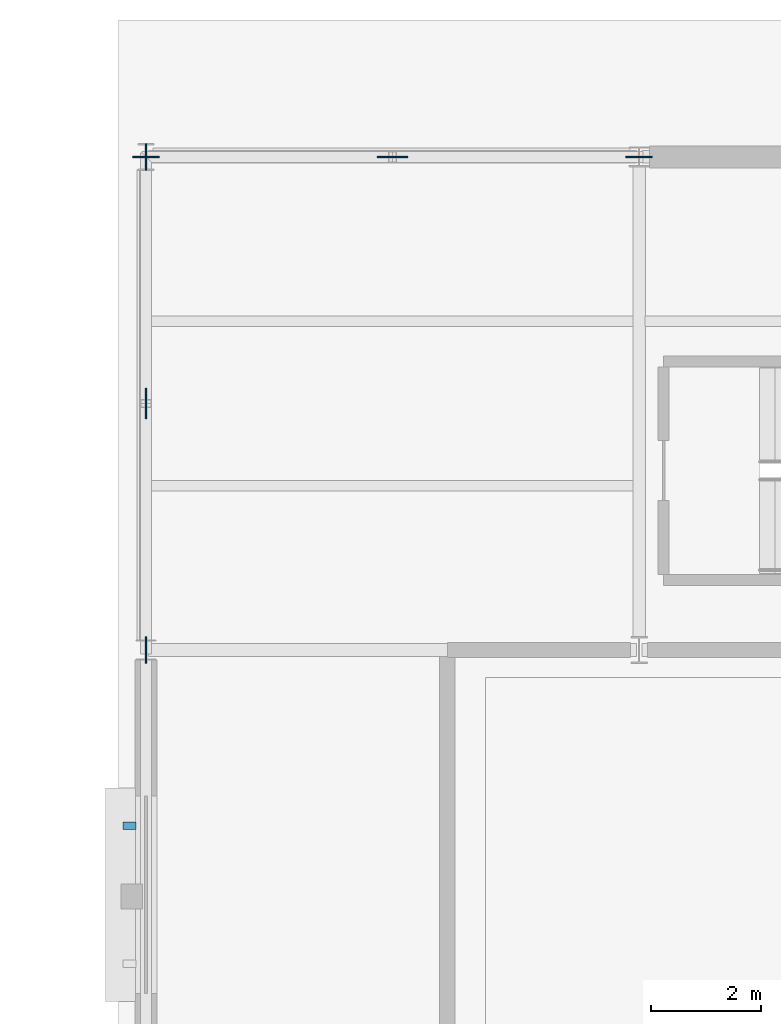
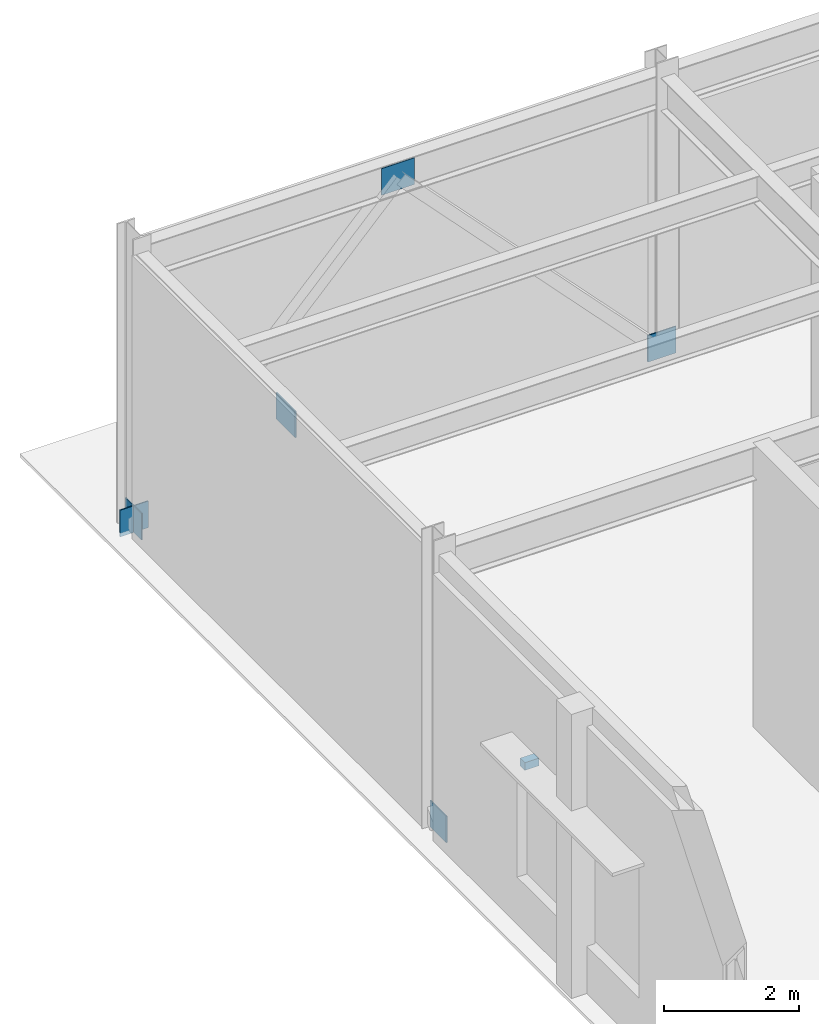
# One storey, part 65 of 79: 7 discrete accessories.
"""IFC4 building model written with IfcOpenShell, lengths in metres."""

from ifc_helpers import new_model, si_unit, direction, frame, origin, origin_2d, place, context, subcontext, project, spatial, rectangle, extrude, material, type_object, element, save


model = new_model("IFC4")

# Units and contexts
model_context = context("Model", 3, precision=1e-05, world=origin(), true_north=direction((0.0, 1.0)))
body_context = subcontext(model_context, "Body", "Model", "MODEL_VIEW")
ifc_project = project(units=[si_unit("LENGTHUNIT", "METRE"), si_unit("AREAUNIT", "SQUARE_METRE"), si_unit("VOLUMEUNIT", "CUBIC_METRE"), si_unit("PLANEANGLEUNIT", "RADIAN"), si_unit("MASSUNIT", "GRAM", prefix="KILO")], contexts=[model_context])

# Site, building, storey
site_placement = place(None, origin())
site = spatial("IfcSite", under=ifc_project, at=site_placement, CompositionType="ELEMENT")
building_placement = place(site_placement, origin())
building = spatial("IfcBuilding", under=site, at=building_placement, Name="Glasvene Arena", CompositionType="ELEMENT")
storey_placement = place(building_placement, origin())
storey = spatial("IfcBuildingStorey", under=building, at=storey_placement, Name="L00", CompositionType="ELEMENT", Elevation=0.0)

# Discrete accessories
ifc_material_1 = material(Name="Steel S355J2", Category="steel")
discrete_accessory_type_1 = type_object("IfcDiscreteAccessoryType", Name="ACC-BRACE-GP20", PredefinedType="BRACKET", material=ifc_material_1)
for number, where, z_axis, x_axis, name in (
    (1, (0.0, 109.0, -0.070068359375), (0.0, 0.0, 1.0), (1.0, 0.0, 0.0), "Chevron brace base gusset plate L00-017-A"),
    (2, (0.0, 118.0, -0.070068359375), (0.0, 0.0, 1.0), (1.0, 0.0, 0.0), "Chevron brace base gusset plate L00-018-B"),
):
    element("IfcDiscreteAccessory", number, at=place(storey_placement, frame(where, z_axis=z_axis, x_axis=x_axis)), inside=storey, type_object=discrete_accessory_type_1, Name=name, PredefinedType="BRACKET", context=body_context, shape_type="SweptSolid", body=[
        extrude(rectangle(XDim=0.02001953125, YDim=0.47998046875, at=origin_2d()), origin(), (0.0, 0.0, 1.0), 0.47998046875),
    ])
discrete_accessory_1_placement = place(storey_placement, frame((0.0, 113.5, 4.530029296875), z_axis=(0.0, 0.0, 1.0), x_axis=(1.0, 0.0, 0.0)))
element("IfcDiscreteAccessory", 3, at=discrete_accessory_1_placement, inside=storey, type_object=discrete_accessory_type_1, Name="Chevron brace apex gusset plate L00-018", PredefinedType="BRACKET", context=body_context, shape_type="SweptSolid", body=[
    extrude(rectangle(XDim=0.02001953125, YDim=0.56005859375, at=origin_2d()), origin(), (0.0, 0.0, 1.0), 0.47998046875),
])
for number, where, z_axis, x_axis, name in (
    (4, (0.0, 118.0, -0.070068359375), (0.0, 0.0, 1.0), (1.0, 0.0, 0.0), "Chevron brace base gusset plate L00-025-A"),
    (5, (9.0, 118.0, -0.070068359375), (0.0, 0.0, 1.0), (1.0, 0.0, 0.0), "Chevron brace base gusset plate L00-026-B"),
):
    element("IfcDiscreteAccessory", number, at=place(storey_placement, frame(where, z_axis=z_axis, x_axis=x_axis)), inside=storey, type_object=discrete_accessory_type_1, Name=name, PredefinedType="BRACKET", context=body_context, shape_type="SweptSolid", body=[
        extrude(rectangle(XDim=0.47998046875, YDim=0.02001953125, at=origin_2d()), origin(), (0.0, 0.0, 1.0), 0.47998046875),
    ])
discrete_accessory_2_placement = place(storey_placement, frame((4.5, 118.0, 4.530029296875), z_axis=(0.0, 0.0, 1.0), x_axis=(1.0, 0.0, 0.0)))
element("IfcDiscreteAccessory", 6, at=discrete_accessory_2_placement, inside=storey, type_object=discrete_accessory_type_1, Name="Chevron brace apex gusset plate L00-026", PredefinedType="BRACKET", context=body_context, shape_type="SweptSolid", body=[
    extrude(rectangle(XDim=0.56005859375, YDim=0.02001953125, at=origin_2d()), origin(), (0.0, 0.0, 1.0), 0.47998046875),
])
ifc_material_2 = material(Name="Warm bronze architectural aluminium", Category="aluminium")
discrete_accessory_type_2 = type_object("IfcDiscreteAccessoryType", Name="ACC-FIN-BRK", PredefinedType="BRACKET", material=ifc_material_2)
discrete_accessory_3_placement = place(storey_placement, frame((-0.300048828125, 105.79296875, 3.22021484375), z_axis=(0.0, 0.0, 1.0), x_axis=(0.0, 1.0, 0.0)))
element("IfcDiscreteAccessory", 7, at=discrete_accessory_3_placement, inside=storey, type_object=discrete_accessory_type_2, Name="Brise-soleil wall bracket BK-005", PredefinedType="BRACKET", context=body_context, shape_type="SweptSolid", body=[
    extrude(rectangle(XDim=0.139892578125, YDim=0.239990234375, at=origin_2d()), origin(), (0.0, 0.0, 1.0), 0.139892578125),
])

save(model, "model.ifc")
